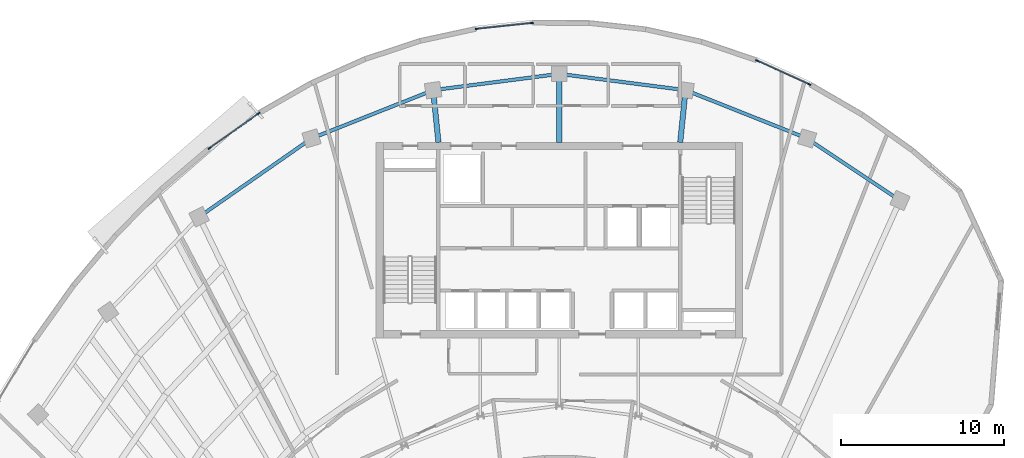
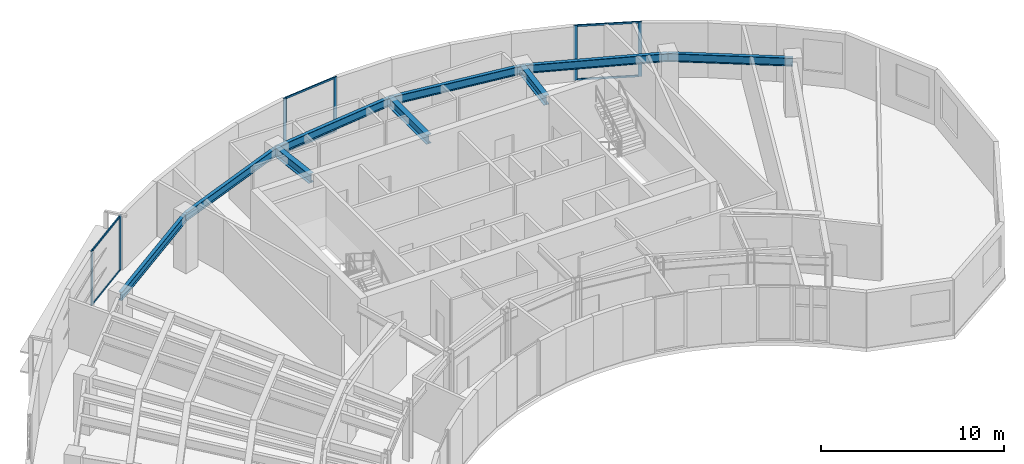
# One storey, part 4 of 12: 12 members, 9 beams, 3 elements without a shape of their own.
"""IFC4 building model written with IfcOpenShell, lengths in metres."""

from ifc_helpers import new_model, si_unit, direction, frame, origin, origin_2d, place, context, subcontext, project, spatial, rectangle, i_section, extrude, source, transform, mapped, material, layer, layer_set, material_profile, profile_set, type_object, element, aggregate, save


model = new_model("IFC4")

# Units and contexts
model_context = context("Model", 3, precision=1e-05, world=origin(), true_north=direction((0.0, 1.0)))
body_context = subcontext(model_context, "Body", "Model", "MODEL_VIEW")
ifc_project = project(units=[si_unit("LENGTHUNIT", "METRE"), si_unit("AREAUNIT", "SQUARE_METRE"), si_unit("VOLUMEUNIT", "CUBIC_METRE"), si_unit("PLANEANGLEUNIT", "RADIAN"), si_unit("MASSUNIT", "GRAM", prefix="KILO")], contexts=[model_context])

# Site, building, storey
site_placement = place(None, origin())
site = spatial("IfcSite", under=ifc_project, at=site_placement, CompositionType="ELEMENT")
building_placement = place(site_placement, origin())
building = spatial("IfcBuilding", under=site, at=building_placement, Name="Breltana Convention Tower", CompositionType="ELEMENT")
storey_placement = place(building_placement, frame((0.0, 0.0, 246.89990234375)))
storey = spatial("IfcBuildingStorey", under=building, at=storey_placement, Name="L60", CompositionType="ELEMENT", Elevation=246.89990234375)

# Beams
ifc_material_1 = material(Name="Steel ASTM A992 Grade 50", Category="steel")
ifc_material_profile_1 = material_profile(ifc_material_1, i_section(OverallWidth=0.326904296875, OverallDepth=0.6220703125, WebThickness=0.015380859375, FlangeThickness=0.0244140625, at=origin_2d()), Name="W24X131")
ifc_profile_set_1 = profile_set([ifc_material_profile_1], Name="Steel ASTM A992 Grade 50")
beam_type_1 = type_object("IfcBeamType", Name="BM-RG-W24X131", PredefinedType="USERDEFINED", material=ifc_profile_set_1)
shared_shape_1 = source(origin(), body_context, "Body", "SweptSolid", [
    extrude(i_section(OverallWidth=0.326904296875, OverallDepth=0.6220703125, WebThickness=0.015380859375, FlangeThickness=0.0244140625, at=origin_2d()), origin(), (0.0, 0.0, 1.0), 3.220947265625),
])
for number, where, z_axis, x_axis, name in (
    (1, (40.580078125, 72.199951171875, 3.339111328125), (-0.101492254858, 0.994836329355, 0.0), (-0.994836329355, -0.101492254858, 0.0), "L60 North Core Radial Girder R05"),
    (2, (55.419921875, 72.199951171875, 3.339111328125), (0.101492254858, 0.994836329355, 0.0), (-0.994836329355, 0.101492254858, 0.0), "L60 North Core Radial Girder R07"),
):
    element("IfcBeam", number, at=place(storey_placement, frame(where, z_axis=z_axis, x_axis=x_axis)), inside=storey, type_object=beam_type_1, Name=name, ObjectType="GIRDER", PredefinedType="USERDEFINED", context=body_context, shape_type="MappedRepresentation", body=[
        mapped(shared_shape_1, transform((0.0, 0.0, 0.0), scale=1.0)),
    ])
shared_shape_2 = source(origin(), body_context, "Body", "SweptSolid", [
    extrude(i_section(OverallWidth=0.326904296875, OverallDepth=0.6220703125, WebThickness=0.015380859375, FlangeThickness=0.0244140625, at=origin_2d()), origin(), (0.0, 0.0, 1.0), 4.2041015625),
])
beam_1_placement = place(storey_placement, frame((48.0, 72.199951171875, 3.339111328125), z_axis=(0.0, 1.0, 0.0), x_axis=(-1.0, 0.0, 0.0)))
element("IfcBeam", 3, at=beam_1_placement, inside=storey, type_object=beam_type_1, Name="L60 North Core Radial Girder R06", ObjectType="GIRDER", PredefinedType="USERDEFINED", context=body_context, shape_type="MappedRepresentation", body=[
    mapped(shared_shape_2, transform((0.0, 0.0, 0.0), scale=1.0)),
])
ifc_material_profile_2 = material_profile(ifc_material_1, i_section(OverallWidth=0.214111328125, OverallDepth=0.549072265625, WebThickness=0.0146484375, FlangeThickness=0.023681640625, at=origin_2d()), Name="W21X93")
ifc_profile_set_2 = profile_set([ifc_material_profile_2], Name="Steel ASTM A992 Grade 50")
beam_type_2 = type_object("IfcBeamType", Name="BM-SP-W21X93", PredefinedType="SPANDREL", material=ifc_profile_set_2)
shared_shape_3 = source(origin(), body_context, "Body", "SweptSolid", [
    extrude(i_section(OverallWidth=0.214111328125, OverallDepth=0.549072265625, WebThickness=0.0146484375, FlangeThickness=0.023681640625, at=origin_2d()), origin(), (0.0, 0.0, 1.0), 8.4169921875),
])
beam_2_placement = place(storey_placement, frame((25.8876953125, 67.626953125, 3.37548828125), z_axis=(0.820173800102, 0.572114444519, 0.0), x_axis=(-0.572114444519, 0.820173800102, 0.0)))
element("IfcBeam", 4, at=beam_2_placement, inside=storey, type_object=beam_type_2, Name="L60 Outer Spandrel Beam 03", PredefinedType="SPANDREL", context=body_context, shape_type="MappedRepresentation", body=[
    mapped(shared_shape_3, transform((0.0, 0.0, 0.0), scale=1.0)),
])
shared_shape_4 = source(origin(), body_context, "Body", "SweptSolid", [
    extrude(i_section(OverallWidth=0.214111328125, OverallDepth=0.549072265625, WebThickness=0.0146484375, FlangeThickness=0.023681640625, at=origin_2d()), origin(), (0.0, 0.0, 1.0), 8.028564453125),
])
for number, where, z_axis, x_axis, name in (
    (5, (32.791015625, 72.4423828125, 3.37548828125), (0.929459100394, 0.368925169507, 0.0), (-0.368925169507, 0.929459100394, 0.0), "L60 Outer Spandrel Beam 04"),
    (6, (55.746826171875, 75.404296875, 3.37548828125), (0.929459100394, -0.368925169507, 0.0), (0.368925169507, 0.929459100394, 0.0), "L60 Outer Spandrel Beam 07"),
):
    element("IfcBeam", number, at=place(storey_placement, frame(where, z_axis=z_axis, x_axis=x_axis)), inside=storey, type_object=beam_type_2, Name=name, PredefinedType="SPANDREL", context=body_context, shape_type="MappedRepresentation", body=[
        mapped(shared_shape_4, transform((0.0, 0.0, 0.0), scale=1.0)),
    ])
shared_shape_5 = source(origin(), body_context, "Body", "SweptSolid", [
    extrude(i_section(OverallWidth=0.214111328125, OverallDepth=0.549072265625, WebThickness=0.0146484375, FlangeThickness=0.023681640625, at=origin_2d()), origin(), (0.0, 0.0, 1.0), 7.81103515625),
])
for number, where, z_axis, x_axis, name in (
    (7, (40.253173828125, 75.404296875, 3.37548828125), (0.991775179127, 0.127992164083, 0.0), (-0.127992164083, 0.991775179127, 0.0), "L60 Outer Spandrel Beam 05"),
    (8, (48.0, 76.404052734375, 3.37548828125), (0.991775179127, -0.127992164083, 0.0), (0.127992164083, 0.991775179127, 0.0), "L60 Outer Spandrel Beam 06"),
):
    element("IfcBeam", number, at=place(storey_placement, frame(where, z_axis=z_axis, x_axis=x_axis)), inside=storey, type_object=beam_type_2, Name=name, PredefinedType="SPANDREL", context=body_context, shape_type="MappedRepresentation", body=[
        mapped(shared_shape_5, transform((0.0, 0.0, 0.0), scale=1.0)),
    ])
shared_shape_6 = source(origin(), body_context, "Body", "SweptSolid", [
    extrude(i_section(OverallWidth=0.214111328125, OverallDepth=0.549072265625, WebThickness=0.0146484375, FlangeThickness=0.023681640625, at=origin_2d()), origin(), (0.0, 0.0, 1.0), 6.856689453125),
])
beam_3_placement = place(storey_placement, frame((63.208984375, 72.4423828125, 3.37548828125), z_axis=(0.83150210718, -0.55552159792, 0.0), x_axis=(0.55552159792, 0.83150210718, 0.0)))
element("IfcBeam", 9, at=beam_3_placement, inside=storey, type_object=beam_type_2, Name="L60 Outer Spandrel Beam 08", PredefinedType="SPANDREL", context=body_context, shape_type="MappedRepresentation", body=[
    mapped(shared_shape_6, transform((0.0, 0.0, 0.0), scale=1.0)),
])

# Curtain wall, members
ifc_material_2 = material(Name="Aluminium Anodised Bronze Frame", Category="aluminium")
ifc_layer = layer(ifc_material_2, 0.219970703125, Name="Aluminium Anodised Bronze Frame")
ifc_layer_set = layer_set([ifc_layer], Name="Aluminium Anodised Bronze Frame")
curtain_wall_type = type_object("IfcCurtainWallType", Name="CW-SYS-4", PredefinedType="NOTDEFINED", material=ifc_layer_set)
curtain_wall_1_placement = place(storey_placement, origin())
curtain_wall_1 = element("IfcCurtainWall", 10, at=curtain_wall_1_placement, inside=storey, type_object=curtain_wall_type, Name="L60 outer double-skin inner glazing 2", PredefinedType="NOTDEFINED")
ifc_material_3 = material(Name="Aluminium Anodised Bronze", Category="aluminium")
ifc_material_profile_3 = material_profile(ifc_material_3, rectangle(XDim=0.080078125, YDim=0.199951171875, at=origin_2d()), Name="CWM-80X200")
ifc_profile_set_3 = profile_set([ifc_material_profile_3], Name="Aluminium Anodised Bronze")
member_type_1 = type_object("IfcMemberType", Name="CWM-200", PredefinedType="MULLION", material=ifc_profile_set_3)
shared_shape_7 = source(origin(), body_context, "Body", "SweptSolid", [
    extrude(rectangle(XDim=0.080078125, YDim=0.199951171875, at=origin_2d()), origin(), (0.0, 0.0, 1.0), 3.650146484375),
])
member_1_placement = place(storey_placement, frame((26.528076171875, 71.8466796875, 0.0), z_axis=(0.0, 0.0, 1.0), x_axis=(-0.576624880786, 0.817009024955, 0.0)))
member_1 = element("IfcMember", 11, at=member_1_placement, type_object=member_type_1, Name="CW-04 mullion 1", PredefinedType="MULLION", context=body_context, shape_type="MappedRepresentation", body=[
    mapped(shared_shape_7, transform((0.0, 0.0, 0.0), scale=1.0)),
])
member_2_placement = place(storey_placement, frame((29.54296875, 73.974609375, 0.0), z_axis=(0.0, 0.0, 1.0), x_axis=(-0.576624880786, 0.817009024955, 0.0)))
member_2 = element("IfcMember", 12, at=member_2_placement, type_object=member_type_1, Name="CW-04 mullion 2", PredefinedType="MULLION", context=body_context, shape_type="MappedRepresentation", body=[
    mapped(shared_shape_7, transform((0.0, 0.0, 0.0), scale=1.0)),
])

curtain_wall_2_placement = place(storey_placement, origin())
curtain_wall_2 = element("IfcCurtainWall", 13, at=curtain_wall_2_placement, inside=storey, type_object=curtain_wall_type, Name="L60 outer double-skin inner glazing 3", PredefinedType="NOTDEFINED")
member_3_placement = place(storey_placement, frame((42.927734375, 79.16796875, 0.0), z_axis=(0.0, 0.0, 1.0), x_axis=(-0.105471640654, 0.994422311203, 0.0)))
member_3 = element("IfcMember", 14, at=member_3_placement, type_object=member_type_1, Name="CW-04 mullion 1", PredefinedType="MULLION", context=body_context, shape_type="MappedRepresentation", body=[
    mapped(shared_shape_7, transform((0.0, 0.0, 0.0), scale=1.0)),
])
member_4_placement = place(storey_placement, frame((46.31494140625, 79.527099609375, 0.0), z_axis=(0.0, 0.0, 1.0), x_axis=(-0.105471640654, 0.994422311203, 0.0)))
member_4 = element("IfcMember", 15, at=member_4_placement, type_object=member_type_1, Name="CW-04 mullion 2", PredefinedType="MULLION", context=body_context, shape_type="MappedRepresentation", body=[
    mapped(shared_shape_7, transform((0.0, 0.0, 0.0), scale=1.0)),
])

curtain_wall_3_placement = place(storey_placement, origin())
curtain_wall_3 = element("IfcCurtainWall", 16, at=curtain_wall_3_placement, inside=storey, type_object=curtain_wall_type, Name="L60 outer double-skin inner glazing 4", PredefinedType="NOTDEFINED")
member_5_placement = place(storey_placement, frame((60.13916015625, 77.219970703125, 0.0), z_axis=(0.0, 0.0, 1.0), x_axis=(0.413538566823, 0.910486602729, 0.0)))
member_5 = element("IfcMember", 17, at=member_5_placement, type_object=member_type_1, Name="CW-04 mullion 1", PredefinedType="MULLION", context=body_context, shape_type="MappedRepresentation", body=[
    mapped(shared_shape_7, transform((0.0, 0.0, 0.0), scale=1.0)),
])
member_6_placement = place(storey_placement, frame((63.36181640625, 75.75634765625, 0.0), z_axis=(0.0, 0.0, 1.0), x_axis=(0.413538566823, 0.910486602729, 0.0)))
member_6 = element("IfcMember", 18, at=member_6_placement, type_object=member_type_1, Name="CW-04 mullion 2", PredefinedType="MULLION", context=body_context, shape_type="MappedRepresentation", body=[
    mapped(shared_shape_7, transform((0.0, 0.0, 0.0), scale=1.0)),
])

# Member
ifc_material_profile_4 = material_profile(ifc_material_3, rectangle(XDim=0.070068359375, YDim=0.1201171875, at=origin_2d()), Name="CWT-70X120")
ifc_profile_set_4 = profile_set([ifc_material_profile_4], Name="Aluminium Anodised Bronze")
member_type_2 = type_object("IfcMemberType", Name="CWT-120", PredefinedType="USERDEFINED", material=ifc_profile_set_4)
shared_shape_8 = source(origin(), body_context, "Body", "SweptSolid", [
    extrude(rectangle(XDim=0.070068359375, YDim=0.1201171875, at=origin_2d()), origin(), (0.0, 0.0, 1.0), 3.610107421875),
])
member_7_placement = place(storey_placement, frame((26.560791015625, 71.86962890625, 0.03515625), z_axis=(0.816992226712, 0.576648681167, 0.0), x_axis=(-0.576648681167, 0.816992226712, 0.0)))
member_7 = element("IfcMember", 19, at=member_7_placement, type_object=member_type_2, Name="CW-04 transom 1.1", ObjectType="TRANSOM", PredefinedType="USERDEFINED", context=body_context, shape_type="MappedRepresentation", body=[
    mapped(shared_shape_8, transform((0.0, 0.0, 0.0), scale=1.0)),
])

member_8_placement = place(storey_placement, frame((26.560791015625, 71.86962890625, 3.614990234375), z_axis=(0.816992226712, 0.576648681167, 0.0), x_axis=(-0.576648681167, 0.816992226712, 0.0)))
member_8 = element("IfcMember", 20, at=member_8_placement, type_object=member_type_2, Name="CW-04 transom 1.2", ObjectType="TRANSOM", PredefinedType="USERDEFINED", context=body_context, shape_type="MappedRepresentation", body=[
    mapped(shared_shape_8, transform((0.0, 0.0, 0.0), scale=1.0)),
])

aggregate(curtain_wall_1, [member_1, member_2, member_7, member_8])

shared_shape_9 = source(origin(), body_context, "Body", "SweptSolid", [
    extrude(rectangle(XDim=0.070068359375, YDim=0.1201171875, at=origin_2d()), origin(), (0.0, 0.0, 1.0), 3.326171875),
])
member_9_placement = place(storey_placement, frame((42.967529296875, 79.172119140625, 0.03515625), z_axis=(0.994421884836, 0.105475660504, 0.0), x_axis=(-0.105475660504, 0.994421884836, 0.0)))
member_9 = element("IfcMember", 21, at=member_9_placement, type_object=member_type_2, Name="CW-04 transom 1.1", ObjectType="TRANSOM", PredefinedType="USERDEFINED", context=body_context, shape_type="MappedRepresentation", body=[
    mapped(shared_shape_9, transform((0.0, 0.0, 0.0), scale=1.0)),
])

member_10_placement = place(storey_placement, frame((42.967529296875, 79.172119140625, 3.614990234375), z_axis=(0.994421884836, 0.105475660504, 0.0), x_axis=(-0.105475660504, 0.994421884836, 0.0)))
member_10 = element("IfcMember", 22, at=member_10_placement, type_object=member_type_2, Name="CW-04 transom 1.2", ObjectType="TRANSOM", PredefinedType="USERDEFINED", context=body_context, shape_type="MappedRepresentation", body=[
    mapped(shared_shape_9, transform((0.0, 0.0, 0.0), scale=1.0)),
])

aggregate(curtain_wall_2, [member_3, member_4, member_9, member_10])

shared_shape_10 = source(origin(), body_context, "Body", "SweptSolid", [
    extrude(rectangle(XDim=0.070068359375, YDim=0.1201171875, at=origin_2d()), origin(), (0.0, 0.0, 1.0), 3.45947265625),
])
member_11_placement = place(storey_placement, frame((60.175537109375, 77.203369140625, 0.03515625), z_axis=(0.910487276777, -0.413537082771, 0.0), x_axis=(0.413537082771, 0.910487276777, 0.0)))
member_11 = element("IfcMember", 23, at=member_11_placement, type_object=member_type_2, Name="CW-04 transom 1.1", ObjectType="TRANSOM", PredefinedType="USERDEFINED", context=body_context, shape_type="MappedRepresentation", body=[
    mapped(shared_shape_10, transform((0.0, 0.0, 0.0), scale=1.0)),
])

member_12_placement = place(storey_placement, frame((60.175537109375, 77.203369140625, 3.614990234375), z_axis=(0.910487276777, -0.413537082771, 0.0), x_axis=(0.413537082771, 0.910487276777, 0.0)))
member_12 = element("IfcMember", 24, at=member_12_placement, type_object=member_type_2, Name="CW-04 transom 1.2", ObjectType="TRANSOM", PredefinedType="USERDEFINED", context=body_context, shape_type="MappedRepresentation", body=[
    mapped(shared_shape_10, transform((0.0, 0.0, 0.0), scale=1.0)),
])

aggregate(curtain_wall_3, [member_5, member_6, member_11, member_12])

save(model, "model.ifc")
